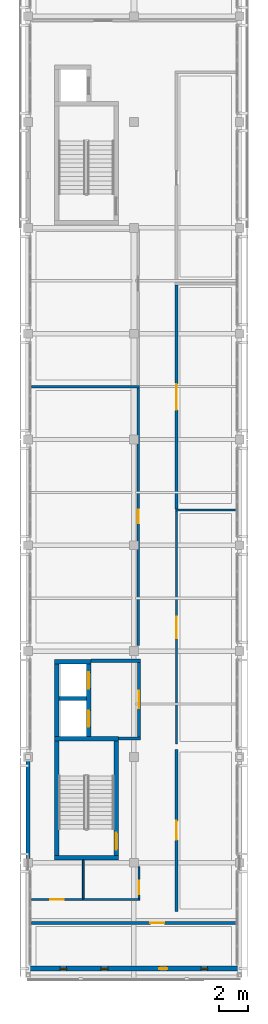
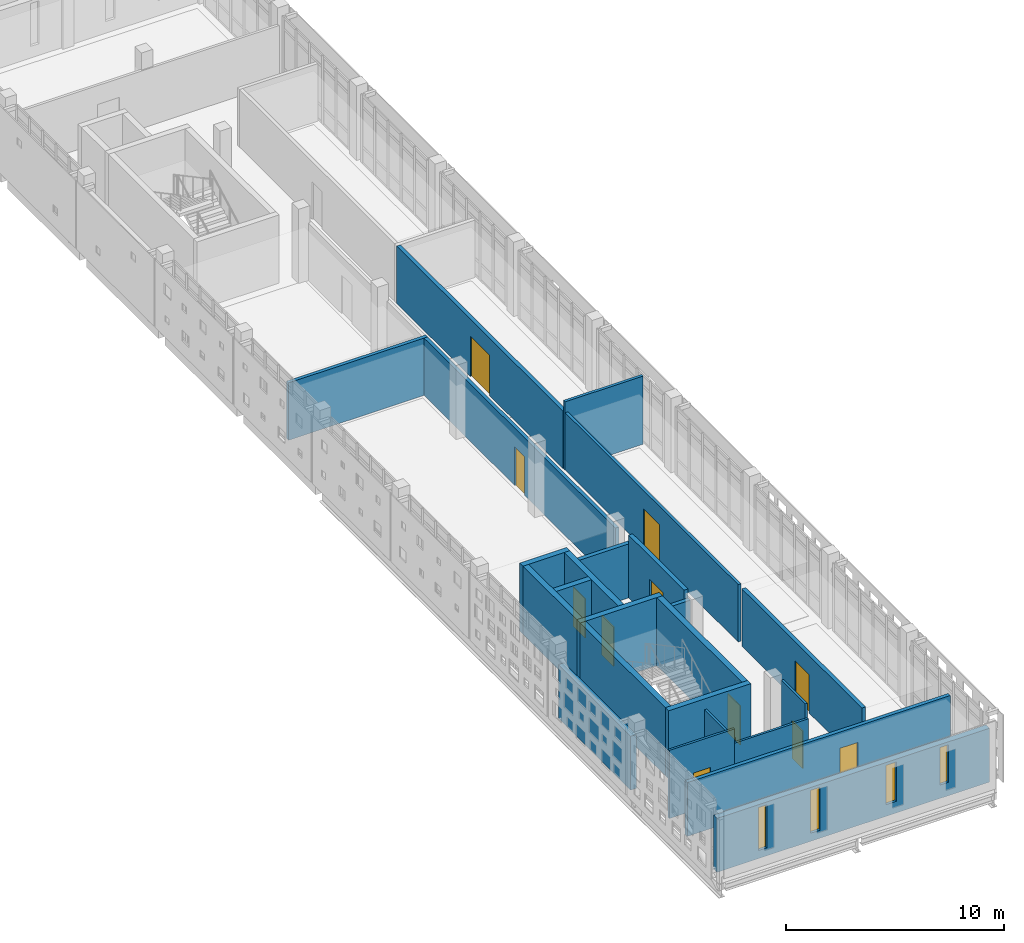
# One storey, part 15 of 21: 24 walls, 11 doors, 4 windows, 15 openings.
"""IFC4 building model written with IfcOpenShell, lengths in metres."""

from ifc_helpers import new_model, si_unit, direction, frame, frame_2d, origin, place, context, subcontext, project, spatial, rectangle, extrude, material, layer, layer_set, type_object, element, fill, save


model = new_model("IFC4")

# Units and contexts
model_context = context("Model", 3, precision=1e-05, world=origin(), true_north=direction((0.0, 1.0)))
body_context = subcontext(model_context, "Body", "Model", "MODEL_VIEW")
ifc_project = project(units=[si_unit("LENGTHUNIT", "METRE"), si_unit("AREAUNIT", "SQUARE_METRE"), si_unit("VOLUMEUNIT", "CUBIC_METRE"), si_unit("PLANEANGLEUNIT", "RADIAN"), si_unit("MASSUNIT", "GRAM", prefix="KILO")], contexts=[model_context])

# Site, building, storey
site_placement = place(None, origin())
site = spatial("IfcSite", under=ifc_project, at=site_placement, CompositionType="ELEMENT")
building_placement = place(site_placement, origin())
building = spatial("IfcBuilding", under=site, at=building_placement, Name="Valkovuoma Quantum and Materials Research Institute", CompositionType="ELEMENT")
storey_placement = place(building_placement, frame((0.0, 0.0, 33.919921875)))
storey = spatial("IfcBuildingStorey", under=building, at=storey_placement, Name="L08", CompositionType="ELEMENT", Elevation=33.919921875)

# Walls
ifc_material_1 = material(Name="Concrete C40/50", Category="concrete")
ifc_layer_1 = layer(ifc_material_1, 0.300048828125)
ifc_layer_set_1 = layer_set([ifc_layer_1], Name="Concrete C40/50")
wall_type_1 = type_object("IfcWallType", Name="Wall-W-COR300", PredefinedType="SHEAR", material=ifc_layer_set_1)
for number, where, z_axis, x_axis, name in (
    (1, (1.800048828125, 29.14990234375, 0.0), (0.0, 0.0, 1.0), (1.0, 0.0, 0.0), "L08 core wall 0100"),
    (2, (1.800048828125, 37.25, 0.0), (0.0, 0.0, 1.0), (1.0, 0.0, 0.0), "L08 core wall 0101"),
):
    element("IfcWall", number, at=place(storey_placement, frame(where, z_axis=z_axis, x_axis=x_axis)), inside=storey, type_object=wall_type_1, Name=name, PredefinedType="SHEAR", context=body_context, shape_type="SweptSolid", body=[
        extrude(rectangle(XDim=4.349853515625, YDim=0.300048828125, at=frame_2d((2.1748046875, 0.0))), origin(), (0.0, 0.0, 1.0), 3.81005859375),
    ])
wall_1_placement = place(storey_placement, frame((1.949951171875, 29.300048828125, 0.0), z_axis=(0.0, 0.0, 1.0), x_axis=(0.0, 1.0, 0.0)))
element("IfcWall", 3, at=wall_1_placement, inside=storey, type_object=wall_type_1, Name="L08 core wall 0102", PredefinedType="SHEAR", context=body_context, shape_type="SweptSolid", body=[
    extrude(rectangle(XDim=7.800048828125, YDim=0.300048828125, at=frame_2d((3.89990234375, 0.0))), origin(), (0.0, 0.0, 1.0), 3.81005859375),
])

# Wall, opening, door
wall_2_placement = place(storey_placement, frame((6.0, 29.300048828125, 0.0), z_axis=(0.0, 0.0, 1.0), x_axis=(0.0, 1.0, 0.0)))
wall_2 = element("IfcWall", 4, at=wall_2_placement, inside=storey, type_object=wall_type_1, Name="L08 core wall 0103", PredefinedType="SHEAR", context=body_context, shape_type="SweptSolid", body=[
    extrude(rectangle(XDim=7.800048828125, YDim=0.300048828125, at=frame_2d((3.89990234375, 0.0))), origin(), (0.0, 0.0, 1.0), 3.81005859375),
])
opening_1_placement = place(wall_2_placement, frame((0.39990234375, 0.0, 0.0)))
opening_1 = element("IfcOpeningElement", 5, at=opening_1_placement, cuts=wall_2, Name="Opening SD-019", PredefinedType="OPENING", context=body_context, shape_type="SweptSolid", body=[
    extrude(rectangle(XDim=1.14990234375, YDim=2.199951171875, at=frame_2d((0.574951171875, 1.10009765625))), frame((0.0, 0.16015625, 0.0), z_axis=(0.0, -1.0, 0.0), x_axis=(1.0, 0.0, 0.0)), (0.0, 0.0, 1.0), 0.320068359375),
])
ifc_material_2 = material(Name="Powder-coated steel and acoustic timber door assembly", Category="steel")
door_type_1 = type_object("IfcDoorType", Name="Door-DR-ST60", OperationType="NOTDEFINED", PredefinedType="DOOR", material=ifc_material_2)
door_1_placement = place(opening_1_placement, origin())
door_1 = element("IfcDoor", 6, at=door_1_placement, inside=storey, type_object=door_type_1, Name="L08 ST-1 fire door", OperationType="SINGLE_SWING_RIGHT", OverallHeight=2.199951171875, OverallWidth=1.14990234375, PredefinedType="DOOR", context=body_context, shape_type="SweptSolid", body=[
    extrude(rectangle(XDim=1.14990234375, YDim=2.199951171875, at=frame_2d((0.574951171875, 1.10009765625))), frame((0.0, 0.02490234375, 0.0), z_axis=(0.0, -1.0, 0.0), x_axis=(1.0, 0.0, 0.0)), (0.0, 0.0, 1.0), 0.050048828125),
])
fill(opening_1, door_1)

# Walls
wall_3_placement = place(storey_placement, frame((1.800048828125, 42.47998046875, 0.0), z_axis=(0.0, 0.0, 1.0), x_axis=(1.0, 0.0, 0.0)))
element("IfcWall", 7, at=wall_3_placement, inside=storey, type_object=wall_type_1, Name="L08 core wall 0104", PredefinedType="SHEAR", context=body_context, shape_type="SweptSolid", body=[
    extrude(rectangle(XDim=2.47998046875, YDim=0.300048828125, at=frame_2d((1.239990234375, 0.0))), origin(), (0.0, 0.0, 1.0), 3.81005859375),
])
wall_4_placement = place(storey_placement, frame((2.10009765625, 39.97509765625, 0.0), z_axis=(0.0, 0.0, 1.0), x_axis=(1.0, 0.0, 0.0)))
element("IfcWall", 8, at=wall_4_placement, inside=storey, type_object=wall_type_1, Name="L08 core wall 0105", PredefinedType="SHEAR", context=body_context, shape_type="SweptSolid", body=[
    extrude(rectangle(XDim=1.8798828125, YDim=0.300048828125, at=frame_2d((0.93994140625, 0.0))), origin(), (0.0, 0.0, 1.0), 3.81005859375),
])
wall_5_placement = place(storey_placement, frame((1.949951171875, 37.39990234375, 0.0), z_axis=(0.0, 0.0, 1.0), x_axis=(0.0, 1.0, 0.0)))
element("IfcWall", 9, at=wall_5_placement, inside=storey, type_object=wall_type_1, Name="L08 core wall 0106", PredefinedType="SHEAR", context=body_context, shape_type="SweptSolid", body=[
    extrude(rectangle(XDim=4.93017578125, YDim=0.300048828125, at=frame_2d((2.465087890625, 0.0))), origin(), (0.0, 0.0, 1.0), 3.81005859375),
])

# Wall, openings, doors
wall_6_placement = place(storey_placement, frame((4.1298828125, 37.39990234375, 0.0), z_axis=(0.0, 0.0, 1.0), x_axis=(0.0, 1.0, 0.0)))
wall_6 = element("IfcWall", 10, at=wall_6_placement, inside=storey, type_object=wall_type_1, Name="L08 core wall 0107", PredefinedType="SHEAR", context=body_context, shape_type="SweptSolid", body=[
    extrude(rectangle(XDim=4.93017578125, YDim=0.300048828125, at=frame_2d((2.465087890625, 0.0))), origin(), (0.0, 0.0, 1.0), 3.81005859375),
])
opening_2_placement = place(wall_6_placement, frame((0.64990234375, 0.0, 0.0)))
opening_2 = element("IfcOpeningElement", 11, at=opening_2_placement, cuts=wall_6, Name="Opening LD-019", PredefinedType="OPENING", context=body_context, shape_type="SweptSolid", body=[
    extrude(rectangle(XDim=1.10009765625, YDim=2.199951171875, at=frame_2d((0.550048828125, 1.10009765625))), frame((0.0, 0.16015625, 0.0), z_axis=(0.0, -1.0, 0.0), x_axis=(1.0, 0.0, 0.0)), (0.0, 0.0, 1.0), 0.320068359375),
])
opening_3_placement = place(wall_6_placement, frame((3.25, 0.0, 0.0)))
opening_3 = element("IfcOpeningElement", 12, at=opening_3_placement, cuts=wall_6, Name="Opening LD-020", PredefinedType="OPENING", context=body_context, shape_type="SweptSolid", body=[
    extrude(rectangle(XDim=1.10009765625, YDim=2.199951171875, at=frame_2d((0.550048828125, 1.10009765625))), frame((0.0, 0.16015625, 0.0), z_axis=(0.0, -1.0, 0.0), x_axis=(1.0, 0.0, 0.0)), (0.0, 0.0, 1.0), 0.320068359375),
])
ifc_material_3 = material(Name="Powder-coated steel and acoustic timber door assembly", Category="steel")
door_type_2 = type_object("IfcDoorType", Name="Door-DR-LD01", OperationType="NOTDEFINED", PredefinedType="DOOR", material=ifc_material_3)
door_2_placement = place(opening_2_placement, origin())
door_2 = element("IfcDoor", 13, at=door_2_placement, inside=storey, type_object=door_type_2, Name="L08 LIFT-FF1 sliding landing door", OperationType="SLIDING_TO_LEFT", OverallHeight=2.199951171875, OverallWidth=1.10009765625, PredefinedType="DOOR", context=body_context, shape_type="SweptSolid", body=[
    extrude(rectangle(XDim=1.10009765625, YDim=2.199951171875, at=frame_2d((0.550048828125, 1.10009765625))), frame((0.0, 0.02490234375, 0.0), z_axis=(0.0, -1.0, 0.0), x_axis=(1.0, 0.0, 0.0)), (0.0, 0.0, 1.0), 0.050048828125),
])
fill(opening_2, door_2)
door_3_placement = place(opening_3_placement, origin())
door_3 = element("IfcDoor", 14, at=door_3_placement, inside=storey, type_object=door_type_2, Name="L08 LIFT-P1 sliding landing door", OperationType="SLIDING_TO_LEFT", OverallHeight=2.199951171875, OverallWidth=1.10009765625, PredefinedType="DOOR", context=body_context, shape_type="SweptSolid", body=[
    extrude(rectangle(XDim=1.10009765625, YDim=2.199951171875, at=frame_2d((0.550048828125, 1.10009765625))), frame((0.0, 0.02490234375, 0.0), z_axis=(0.0, -1.0, 0.0), x_axis=(1.0, 0.0, 0.0)), (0.0, 0.0, 1.0), 0.050048828125),
])
fill(opening_3, door_3)

# Wall
ifc_material_4 = material(Name="Precast concrete C40/50", Category="concrete")
ifc_layer_2 = layer(ifc_material_4, 0.300048828125)
ifc_layer_set_2 = layer_set([ifc_layer_2], Name="Precast concrete C40/50")
wall_type_2 = type_object("IfcWallType", Name="Wall-W-EXT300", PredefinedType="SOLIDWALL", material=ifc_layer_set_2)
wall_7_placement = place(storey_placement, frame((0.0, 29.090087890625, 0.0), z_axis=(0.0, 0.0, 1.0), x_axis=(0.0, 1.0, 0.0)))
element("IfcWall", 15, at=wall_7_placement, inside=storey, type_object=wall_type_2, Name="L08 exterior wall 0063", PredefinedType="SOLIDWALL", context=body_context, shape_type="SweptSolid", body=[
    extrude(rectangle(XDim=6.619873046875, YDim=0.300048828125, at=frame_2d((3.31005859375, 0.0))), origin(), (0.0, 0.0, 1.0), 3.010009765625),
])

# Wall, openings, windows
ifc_material_5 = material(Name="Precast concrete C40/50", Category="concrete")
ifc_layer_3 = layer(ifc_material_5, 0.320068359375)
ifc_layer_set_3 = layer_set([ifc_layer_3], Name="Precast concrete C40/50")
wall_type_3 = type_object("IfcWallType", Name="Wall-W-EXT320", PredefinedType="SOLIDWALL", material=ifc_layer_set_3)
wall_8_placement = place(storey_placement, frame((0.0, 21.60009765625, 0.0), z_axis=(0.0, 0.0, 1.0), x_axis=(1.0, 0.0, 0.0)))
wall_8 = element("IfcWall", 16, at=wall_8_placement, inside=storey, type_object=wall_type_3, Name="L08 exterior wall 0061", PredefinedType="SOLIDWALL", context=body_context, shape_type="SweptSolid", body=[
    extrude(rectangle(XDim=14.39990234375, YDim=0.320068359375, at=frame_2d((7.199951171875, 0.0))), origin(), (0.0, 0.0, 1.0), 3.010009765625),
])
opening_4_placement = place(wall_8_placement, frame((2.175048828125, 0.0, 0.449951171875)))
opening_4 = element("IfcOpeningElement", 17, at=opening_4_placement, cuts=wall_8, Name="Opening WN-SL01", PredefinedType="OPENING", context=body_context, shape_type="SweptSolid", body=[
    extrude(rectangle(XDim=0.449951171875, YDim=2.39990234375, at=frame_2d((0.22509765625, 1.199951171875))), frame((0.0, 0.169921875, 0.0), z_axis=(0.0, -1.0, 0.0), x_axis=(1.0, 0.0, 0.0)), (0.0, 0.0, 1.0), 0.340087890625),
])
opening_5_placement = place(wall_8_placement, frame((4.949951171875, 0.0, 0.449951171875)))
opening_5 = element("IfcOpeningElement", 18, at=opening_5_placement, cuts=wall_8, Name="Opening WN-SL02", PredefinedType="OPENING", context=body_context, shape_type="SweptSolid", body=[
    extrude(rectangle(XDim=0.5, YDim=2.39990234375, at=frame_2d((0.25, 1.199951171875))), frame((0.0, 0.169921875, 0.0), z_axis=(0.0, -1.0, 0.0), x_axis=(1.0, 0.0, 0.0)), (0.0, 0.0, 1.0), 0.340087890625),
])
opening_6_placement = place(wall_8_placement, frame((8.925048828125, 0.0, 0.64990234375)))
opening_6 = element("IfcOpeningElement", 19, at=opening_6_placement, cuts=wall_8, Name="Opening WN-SL03", PredefinedType="OPENING", context=body_context, shape_type="SweptSolid", body=[
    extrude(rectangle(XDim=0.550048828125, YDim=2.199951171875, at=frame_2d((0.27490234375, 1.10009765625))), frame((0.0, 0.169921875, 0.0), z_axis=(0.0, -1.0, 0.0), x_axis=(1.0, 0.0, 0.0)), (0.0, 0.0, 1.0), 0.340087890625),
])
opening_7_placement = place(wall_8_placement, frame((11.77490234375, 0.0, 0.75)))
opening_7 = element("IfcOpeningElement", 20, at=opening_7_placement, cuts=wall_8, Name="Opening WN-SL04", PredefinedType="OPENING", context=body_context, shape_type="SweptSolid", body=[
    extrude(rectangle(XDim=0.449951171875, YDim=2.10009765625, at=frame_2d((0.22509765625, 1.050048828125))), frame((0.0, 0.169921875, 0.0), z_axis=(0.0, -1.0, 0.0), x_axis=(1.0, 0.0, 0.0)), (0.0, 0.0, 1.0), 0.340087890625),
])
ifc_material_6 = material(Name="Triple low-E argon glazing in thermally broken aluminium frame", Category="aluminium")
window_type_1 = type_object("IfcWindowType", Name="Win-WN-SL01", PartitioningType="SINGLE_PANEL", PredefinedType="WINDOW", material=ifc_material_6)
window_1_placement = place(opening_4_placement, origin())
window_1 = element("IfcWindow", 21, at=window_1_placement, inside=storey, type_object=window_type_1, Name="L08 window 0060", OverallHeight=2.39990234375, OverallWidth=0.449951171875, PartitioningType="SINGLE_PANEL", PredefinedType="WINDOW", context=body_context, shape_type="SweptSolid", body=[
    extrude(rectangle(XDim=0.449951171875, YDim=2.39990234375, at=frame_2d((0.22509765625, 1.199951171875))), frame((0.0, 0.030029296875, 0.0), z_axis=(0.0, -1.0, 0.0), x_axis=(1.0, 0.0, 0.0)), (0.0, 0.0, 1.0), 0.06005859375),
])
fill(opening_4, window_1)
ifc_material_7 = material(Name="Triple low-E argon glazing in thermally broken aluminium frame", Category="aluminium")
window_type_2 = type_object("IfcWindowType", Name="Win-WN-SL02", PartitioningType="SINGLE_PANEL", PredefinedType="WINDOW", material=ifc_material_7)
window_2_placement = place(opening_5_placement, origin())
window_2 = element("IfcWindow", 22, at=window_2_placement, inside=storey, type_object=window_type_2, Name="L08 window 0061", OverallHeight=2.39990234375, OverallWidth=0.5, PartitioningType="SINGLE_PANEL", PredefinedType="WINDOW", context=body_context, shape_type="SweptSolid", body=[
    extrude(rectangle(XDim=0.5, YDim=2.39990234375, at=frame_2d((0.25, 1.199951171875))), frame((0.0, 0.030029296875, 0.0), z_axis=(0.0, -1.0, 0.0), x_axis=(1.0, 0.0, 0.0)), (0.0, 0.0, 1.0), 0.06005859375),
])
fill(opening_5, window_2)
ifc_material_8 = material(Name="Triple low-E argon glazing in thermally broken aluminium frame", Category="aluminium")
window_type_3 = type_object("IfcWindowType", Name="Win-WN-SL03", PartitioningType="SINGLE_PANEL", PredefinedType="WINDOW", material=ifc_material_8)
window_3_placement = place(opening_6_placement, origin())
window_3 = element("IfcWindow", 23, at=window_3_placement, inside=storey, type_object=window_type_3, Name="L08 window 0062", OverallHeight=2.199951171875, OverallWidth=0.550048828125, PartitioningType="SINGLE_PANEL", PredefinedType="WINDOW", context=body_context, shape_type="SweptSolid", body=[
    extrude(rectangle(XDim=0.550048828125, YDim=2.199951171875, at=frame_2d((0.27490234375, 1.10009765625))), frame((0.0, 0.030029296875, 0.0), z_axis=(0.0, -1.0, 0.0), x_axis=(1.0, 0.0, 0.0)), (0.0, 0.0, 1.0), 0.06005859375),
])
fill(opening_6, window_3)
ifc_material_9 = material(Name="Triple low-E argon glazing in thermally broken aluminium frame", Category="aluminium")
window_type_4 = type_object("IfcWindowType", Name="Win-WN-SL04", PartitioningType="SINGLE_PANEL", PredefinedType="WINDOW", material=ifc_material_9)
window_4_placement = place(opening_7_placement, origin())
window_4 = element("IfcWindow", 24, at=window_4_placement, inside=storey, type_object=window_type_4, Name="L08 window 0063", OverallHeight=2.10009765625, OverallWidth=0.449951171875, PartitioningType="SINGLE_PANEL", PredefinedType="WINDOW", context=body_context, shape_type="SweptSolid", body=[
    extrude(rectangle(XDim=0.449951171875, YDim=2.10009765625, at=frame_2d((0.22509765625, 1.050048828125))), frame((0.0, 0.030029296875, 0.0), z_axis=(0.0, -1.0, 0.0), x_axis=(1.0, 0.0, 0.0)), (0.0, 0.0, 1.0), 0.06005859375),
])
fill(opening_7, window_4)

# Walls
ifc_material_10 = material(Name="Concrete C40/50", Category="concrete")
ifc_layer_4 = layer(ifc_material_10, 0.219970703125)
ifc_layer_set_4 = layer_set([ifc_layer_4], Name="Concrete C40/50")
wall_type_4 = type_object("IfcWallType", Name="Wall-W-FFL220", PredefinedType="SOLIDWALL", material=ifc_layer_set_4)
wall_9_placement = place(storey_placement, frame((6.14990234375, 37.25, 0.0), z_axis=(0.0, 0.0, 1.0), x_axis=(1.0, 0.0, 0.0)))
element("IfcWall", 25, at=wall_9_placement, inside=storey, type_object=wall_type_4, Name="L08 core wall 0108", PredefinedType="SOLIDWALL", context=body_context, shape_type="SweptSolid", body=[
    extrude(rectangle(XDim=1.510009765625, YDim=0.219970703125, at=frame_2d((0.7548828125, 0.0))), origin(), (0.0, 0.0, 1.0), 3.010009765625),
])
wall_10_placement = place(storey_placement, frame((4.280029296875, 42.550048828125, 0.0), z_axis=(0.0, 0.0, 1.0), x_axis=(1.0, 0.0, 0.0)))
element("IfcWall", 26, at=wall_10_placement, inside=storey, type_object=wall_type_4, Name="L08 core wall 0109", PredefinedType="SOLIDWALL", context=body_context, shape_type="SweptSolid", body=[
    extrude(rectangle(XDim=3.3798828125, YDim=0.219970703125, at=frame_2d((1.68994140625, 0.0))), origin(), (0.0, 0.0, 1.0), 3.010009765625),
])

# Wall, opening, door
wall_11_placement = place(storey_placement, frame((7.550048828125, 37.360107421875, 0.0), z_axis=(0.0, 0.0, 1.0), x_axis=(0.0, 1.0, 0.0)))
wall_11 = element("IfcWall", 27, at=wall_11_placement, inside=storey, type_object=wall_type_4, Name="L08 core wall 0110", PredefinedType="SOLIDWALL", context=body_context, shape_type="SweptSolid", body=[
    extrude(rectangle(XDim=5.079833984375, YDim=0.219970703125, at=frame_2d((2.5400390625, 0.0))), origin(), (0.0, 0.0, 1.0), 3.510009765625),
])
opening_8_placement = place(wall_11_placement, frame((1.93994140625, 0.0, 0.0)))
opening_8 = element("IfcOpeningElement", 28, at=opening_8_placement, cuts=wall_11, Name="Opening FD-020", PredefinedType="OPENING", context=body_context, shape_type="SweptSolid", body=[
    extrude(rectangle(XDim=1.199951171875, YDim=2.199951171875, at=frame_2d((0.60009765625, 1.10009765625))), frame((0.0, 0.1201171875, 0.0), z_axis=(0.0, -1.0, 0.0), x_axis=(1.0, 0.0, 0.0)), (0.0, 0.0, 1.0), 0.239990234375),
])
ifc_material_11 = material(Name="Powder-coated steel and acoustic timber door assembly", Category="steel")
door_type_3 = type_object("IfcDoorType", Name="Door-DR-FF60", OperationType="NOTDEFINED", PredefinedType="DOOR", material=ifc_material_11)
door_4_placement = place(opening_8_placement, origin())
door_4 = element("IfcDoor", 29, at=door_4_placement, inside=storey, type_object=door_type_3, Name="L08 firefighting lobby door", OperationType="SINGLE_SWING_LEFT", OverallHeight=2.199951171875, OverallWidth=1.199951171875, PredefinedType="DOOR", context=body_context, shape_type="SweptSolid", body=[
    extrude(rectangle(XDim=1.199951171875, YDim=2.199951171875, at=frame_2d((0.60009765625, 1.10009765625))), frame((0.0, 0.02490234375, 0.0), z_axis=(0.0, -1.0, 0.0), x_axis=(1.0, 0.0, 0.0)), (0.0, 0.0, 1.0), 0.050048828125),
])
fill(opening_8, door_4)

# Walls
ifc_material_12 = material(Name="Service and WC partition", Category="masonry")
ifc_layer_5 = layer(ifc_material_12, 0.1201171875)
ifc_layer_set_5 = layer_set([ifc_layer_5], Name="Service and WC partition")
wall_type_5 = type_object("IfcWallType", Name="Wall-W-PRT120", PredefinedType="PARTITIONING", material=ifc_layer_set_5)
wall_12_placement = place(storey_placement, frame((3.68994140625, 26.300048828125, 0.0), z_axis=(0.0, 0.0, 1.0), x_axis=(1.0, 0.0, 0.0)))
element("IfcWall", 30, at=wall_12_placement, inside=storey, type_object=wall_type_5, Name="L08 partition 0266", PredefinedType="PARTITIONING", context=body_context, shape_type="SweptSolid", body=[
    extrude(rectangle(XDim=3.920166015625, YDim=0.1201171875, at=frame_2d((1.9599609375, 0.0))), origin(), (0.0, 0.0, 1.0), 3.010009765625),
])
wall_13_placement = place(storey_placement, frame((3.75, 26.360107421875, 0.0), z_axis=(0.0, 0.0, 1.0), x_axis=(0.0, 1.0, 0.0)))
element("IfcWall", 31, at=wall_13_placement, inside=storey, type_object=wall_type_5, Name="L08 partition 0267", PredefinedType="PARTITIONING", context=body_context, shape_type="SweptSolid", body=[
    extrude(rectangle(XDim=2.639892578125, YDim=0.1201171875, at=frame_2d((1.31982421875, 0.0))), origin(), (0.0, 0.0, 1.0), 3.2099609375),
])

# Wall, opening, door
wall_14_placement = place(storey_placement, frame((7.550048828125, 26.360107421875, 0.0), z_axis=(0.0, 0.0, 1.0), x_axis=(0.0, 1.0, 0.0)))
wall_14 = element("IfcWall", 32, at=wall_14_placement, inside=storey, type_object=wall_type_5, Name="L08 partition 0268", PredefinedType="PARTITIONING", context=body_context, shape_type="SweptSolid", body=[
    extrude(rectangle(XDim=2.179931640625, YDim=0.1201171875, at=frame_2d((1.08984375, 0.0))), origin(), (0.0, 0.0, 1.0), 3.81005859375),
])
opening_9_placement = place(wall_14_placement, frame((0.29296875, 0.0, 0.0)))
opening_9 = element("IfcOpeningElement", 33, at=opening_9_placement, cuts=wall_14, Name="Opening ID-0189", PredefinedType="OPENING", context=body_context, shape_type="SweptSolid", body=[
    extrude(rectangle(XDim=0.93994140625, YDim=2.10009765625, at=frame_2d((0.469970703125, 1.050048828125))), frame((0.0, 0.070068359375, 0.0), z_axis=(0.0, -1.0, 0.0), x_axis=(1.0, 0.0, 0.0)), (0.0, 0.0, 1.0), 0.14013671875),
])
ifc_material_13 = material(Name="Powder-coated steel and acoustic timber door assembly", Category="steel")
door_type_4 = type_object("IfcDoorType", Name="Door-DR-WC01", OperationType="NOTDEFINED", PredefinedType="DOOR", material=ifc_material_13)
door_5_placement = place(opening_9_placement, frame((0.93994140625, 0.0, 0.0), z_axis=(0.0, 0.0, 1.0), x_axis=(-1.0, 0.0, 0.0)))
door_5 = element("IfcDoor", 34, at=door_5_placement, inside=storey, type_object=door_type_4, Name="L08 room door 0189", OperationType="SINGLE_SWING_RIGHT", OverallHeight=2.10009765625, OverallWidth=0.93994140625, PredefinedType="DOOR", context=body_context, shape_type="SweptSolid", body=[
    extrude(rectangle(XDim=0.93994140625, YDim=2.10009765625, at=frame_2d((0.469970703125, 1.050048828125))), frame((0.0, 0.02490234375, 0.0), z_axis=(0.0, -1.0, 0.0), x_axis=(1.0, 0.0, 0.0)), (0.0, 0.0, 1.0), 0.050048828125),
])
fill(opening_9, door_5)

wall_15_placement = place(storey_placement, frame((0.25, 26.300048828125, 0.0), z_axis=(0.0, 0.0, 1.0), x_axis=(1.0, 0.0, 0.0)))
wall_15 = element("IfcWall", 35, at=wall_15_placement, inside=storey, type_object=wall_type_5, Name="L08 partition 0269", PredefinedType="PARTITIONING", context=body_context, shape_type="SweptSolid", body=[
    extrude(rectangle(XDim=3.43994140625, YDim=0.1201171875, at=frame_2d((1.719970703125, 0.0))), origin(), (0.0, 0.0, 1.0), 3.81005859375),
])
opening_10_placement = place(wall_15_placement, frame((1.27001953125, 0.0, 0.0)))
opening_10 = element("IfcOpeningElement", 36, at=opening_10_placement, cuts=wall_15, Name="Opening ID-0190", PredefinedType="OPENING", context=body_context, shape_type="SweptSolid", body=[
    extrude(rectangle(XDim=0.89990234375, YDim=2.10009765625, at=frame_2d((0.449951171875, 1.050048828125))), frame((0.0, 0.070068359375, 0.0), z_axis=(0.0, -1.0, 0.0), x_axis=(1.0, 0.0, 0.0)), (0.0, 0.0, 1.0), 0.14013671875),
])
ifc_material_14 = material(Name="Powder-coated steel and acoustic timber door assembly", Category="steel")
door_type_5 = type_object("IfcDoorType", Name="Door-DR-WC02", OperationType="NOTDEFINED", PredefinedType="DOOR", material=ifc_material_14)
door_6_placement = place(opening_10_placement, origin())
door_6 = element("IfcDoor", 37, at=door_6_placement, inside=storey, type_object=door_type_5, Name="L08 room door 0190", OperationType="SINGLE_SWING_LEFT", OverallHeight=2.10009765625, OverallWidth=0.89990234375, PredefinedType="DOOR", context=body_context, shape_type="SweptSolid", body=[
    extrude(rectangle(XDim=0.89990234375, YDim=2.10009765625, at=frame_2d((0.449951171875, 1.050048828125))), frame((0.0, 0.02490234375, 0.0), z_axis=(0.0, -1.0, 0.0), x_axis=(1.0, 0.0, 0.0)), (0.0, 0.0, 1.0), 0.050048828125),
])
fill(opening_10, door_6)

# Wall
ifc_material_15 = material(Name="Acoustic write-up studio partition", Category="masonry")
ifc_layer_6 = layer(ifc_material_15, 0.14990234375)
ifc_layer_set_6 = layer_set([ifc_layer_6], Name="Acoustic write-up studio partition")
wall_type_6 = type_object("IfcWallType", Name="Wall-W-PRT150", PredefinedType="PARTITIONING", material=ifc_layer_set_6)
wall_16_placement = place(storey_placement, frame((10.02490234375, 52.800048828125, 0.0), z_axis=(0.0, 0.0, 1.0), x_axis=(1.0, 0.0, 0.0)))
element("IfcWall", 38, at=wall_16_placement, inside=storey, type_object=wall_type_6, Name="L08 partition 0275", PredefinedType="PARTITIONING", context=body_context, shape_type="SweptSolid", body=[
    extrude(rectangle(XDim=4.125, YDim=0.14990234375, at=frame_2d((2.0625, 0.0))), origin(), (0.0, 0.0, 1.0), 3.81005859375),
])

# Wall, opening, door
wall_17_placement = place(storey_placement, frame((10.10009765625, 36.875, 0.0), z_axis=(0.0, 0.0, 1.0), x_axis=(0.0, 1.0, 0.0)))
wall_17 = element("IfcWall", 39, at=wall_17_placement, inside=storey, type_object=wall_type_6, Name="L08 partition 0276", PredefinedType="PARTITIONING", context=body_context, shape_type="SweptSolid", body=[
    extrude(rectangle(XDim=15.85009765625, YDim=0.14990234375, at=frame_2d((7.925048828125, 0.0))), origin(), (0.0, 0.0, 1.0), 3.2099609375),
])
opening_11_placement = place(wall_17_placement, frame((7.199951171875, 0.0, 0.0)))
opening_11 = element("IfcOpeningElement", 40, at=opening_11_placement, cuts=wall_17, Name="Opening ID-0195", PredefinedType="OPENING", context=body_context, shape_type="SweptSolid", body=[
    extrude(rectangle(XDim=1.449951171875, YDim=2.199951171875, at=frame_2d((0.72509765625, 1.10009765625))), frame((0.0, 0.0849609375, 0.0), z_axis=(0.0, -1.0, 0.0), x_axis=(1.0, 0.0, 0.0)), (0.0, 0.0, 1.0), 0.169921875),
])
ifc_material_16 = material(Name="Powder-coated steel and acoustic timber door assembly", Category="steel")
door_type_6 = type_object("IfcDoorType", Name="Door-DR-SM03", OperationType="NOTDEFINED", PredefinedType="DOOR", material=ifc_material_16)
door_7_placement = place(opening_11_placement, origin())
door_7 = element("IfcDoor", 41, at=door_7_placement, inside=storey, type_object=door_type_6, Name="L08 room door 0195", OperationType="SINGLE_SWING_RIGHT", OverallHeight=2.199951171875, OverallWidth=1.449951171875, PredefinedType="DOOR", context=body_context, shape_type="SweptSolid", body=[
    extrude(rectangle(XDim=1.449951171875, YDim=2.199951171875, at=frame_2d((0.72509765625, 1.10009765625))), frame((0.0, 0.02490234375, 0.0), z_axis=(0.0, -1.0, 0.0), x_axis=(1.0, 0.0, 0.0)), (0.0, 0.0, 1.0), 0.050048828125),
])
fill(opening_11, door_7)

# Wall
ifc_material_17 = material(Name="Laboratory fire-rated gypsum partition", Category="masonry")
ifc_layer_7 = layer(ifc_material_17, 0.179931640625)
ifc_layer_set_7 = layer_set([ifc_layer_7], Name="Laboratory fire-rated gypsum partition")
wall_type_7 = type_object("IfcWallType", Name="Wall-W-PRT180", PredefinedType="PARTITIONING", material=ifc_layer_set_7)
wall_18_placement = place(storey_placement, frame((0.25, 61.199951171875, 0.0), z_axis=(0.0, 0.0, 1.0), x_axis=(1.0, 0.0, 0.0)))
element("IfcWall", 42, at=wall_18_placement, inside=storey, type_object=wall_type_7, Name="L08 partition 0270", PredefinedType="PARTITIONING", context=body_context, shape_type="SweptSolid", body=[
    extrude(rectangle(XDim=7.340087890625, YDim=0.179931640625, at=frame_2d((3.669921875, 0.0))), origin(), (0.0, 0.0, 1.0), 3.2099609375),
])

# Wall, opening, door
wall_19_placement = place(storey_placement, frame((7.5, 43.590087890625, 0.0), z_axis=(0.0, 0.0, 1.0), x_axis=(0.0, 1.0, 0.0)))
wall_19 = element("IfcWall", 43, at=wall_19_placement, inside=storey, type_object=wall_type_7, Name="L08 partition 0271", PredefinedType="PARTITIONING", context=body_context, shape_type="SweptSolid", body=[
    extrude(rectangle(XDim=17.52001953125, YDim=0.179931640625, at=frame_2d((8.760009765625, 0.0))), origin(), (0.0, 0.0, 1.0), 3.2099609375),
])
opening_12_placement = place(wall_19_placement, frame((8.300048828125, 0.0, 0.0)))
opening_12 = element("IfcOpeningElement", 44, at=opening_12_placement, cuts=wall_19, Name="Opening ID-0191", PredefinedType="OPENING", context=body_context, shape_type="SweptSolid", body=[
    extrude(rectangle(XDim=0.919921875, YDim=2.14990234375, at=frame_2d((0.4599609375, 1.074951171875))), frame((0.0, 0.10009765625, 0.0), z_axis=(0.0, -1.0, 0.0), x_axis=(1.0, 0.0, 0.0)), (0.0, 0.0, 1.0), 0.199951171875),
])
ifc_material_18 = material(Name="Powder-coated steel and acoustic timber door assembly", Category="steel")
door_type_7 = type_object("IfcDoorType", Name="Door-DR-OF05", OperationType="NOTDEFINED", PredefinedType="DOOR", material=ifc_material_18)
door_8_placement = place(opening_12_placement, origin())
door_8 = element("IfcDoor", 45, at=door_8_placement, inside=storey, type_object=door_type_7, Name="L08 room door 0191", OperationType="SINGLE_SWING_RIGHT", OverallHeight=2.14990234375, OverallWidth=0.919921875, PredefinedType="DOOR", context=body_context, shape_type="SweptSolid", body=[
    extrude(rectangle(XDim=0.919921875, YDim=2.14990234375, at=frame_2d((0.4599609375, 1.074951171875))), frame((0.0, 0.02490234375, 0.0), z_axis=(0.0, -1.0, 0.0), x_axis=(1.0, 0.0, 0.0)), (0.0, 0.0, 1.0), 0.050048828125),
])
fill(opening_12, door_8)

ifc_material_19 = material(Name="Acoustic double-stud gypsum and mineral wool partition", Category="masonry")
ifc_layer_8 = layer(ifc_material_19, 0.199951171875)
ifc_layer_set_8 = layer_set([ifc_layer_8], Name="Acoustic double-stud gypsum and mineral wool partition")
wall_type_8 = type_object("IfcWallType", Name="Wall-W-PRT200", PredefinedType="PARTITIONING", material=ifc_layer_set_8)
wall_20_placement = place(storey_placement, frame((0.25, 24.699951171875, 0.0), z_axis=(0.0, 0.0, 1.0), x_axis=(1.0, 0.0, 0.0)))
wall_20 = element("IfcWall", 46, at=wall_20_placement, inside=storey, type_object=wall_type_8, Name="L08 partition 0265", PredefinedType="PARTITIONING", context=body_context, shape_type="SweptSolid", body=[
    extrude(rectangle(XDim=13.89990234375, YDim=0.199951171875, at=frame_2d((6.949951171875, 0.0))), origin(), (0.0, 0.0, 1.0), 3.010009765625),
])
opening_13_placement = place(wall_20_placement, frame((8.074951171875, 0.0, 0.0)))
opening_13 = element("IfcOpeningElement", 47, at=opening_13_placement, cuts=wall_20, Name="Opening ID-0188", PredefinedType="OPENING", context=body_context, shape_type="SweptSolid", body=[
    extrude(rectangle(XDim=0.949951171875, YDim=2.10009765625, at=frame_2d((0.47509765625, 1.050048828125))), frame((0.0, 0.10986328125, 0.0), z_axis=(0.0, -1.0, 0.0), x_axis=(1.0, 0.0, 0.0)), (0.0, 0.0, 1.0), 0.219970703125),
])
ifc_material_20 = material(Name="Powder-coated steel and acoustic timber door assembly", Category="steel")
door_type_8 = type_object("IfcDoorType", Name="Door-DR-OF02", OperationType="NOTDEFINED", PredefinedType="DOOR", material=ifc_material_20)
door_9_placement = place(opening_13_placement, origin())
door_9 = element("IfcDoor", 48, at=door_9_placement, inside=storey, type_object=door_type_8, Name="L08 room door 0188", OperationType="SINGLE_SWING_LEFT", OverallHeight=2.10009765625, OverallWidth=0.949951171875, PredefinedType="DOOR", context=body_context, shape_type="SweptSolid", body=[
    extrude(rectangle(XDim=0.949951171875, YDim=2.10009765625, at=frame_2d((0.47509765625, 1.050048828125))), frame((0.0, 0.02490234375, 0.0), z_axis=(0.0, -1.0, 0.0), x_axis=(1.0, 0.0, 0.0)), (0.0, 0.0, 1.0), 0.050048828125),
])
fill(opening_13, door_9)

wall_21_placement = place(storey_placement, frame((10.10009765625, 25.5, 0.0), z_axis=(0.0, 0.0, 1.0), x_axis=(0.0, 1.0, 0.0)))
wall_21 = element("IfcWall", 49, at=wall_21_placement, inside=storey, type_object=wall_type_8, Name="L08 partition 0274", PredefinedType="PARTITIONING", context=body_context, shape_type="SweptSolid", body=[
    extrude(rectangle(XDim=11.0, YDim=0.199951171875, at=frame_2d((5.5, 0.0))), origin(), (0.0, 0.0, 1.0), 3.2099609375),
])
opening_14_placement = place(wall_21_placement, frame((4.85009765625, 0.0, 0.0)))
opening_14 = element("IfcOpeningElement", 50, at=opening_14_placement, cuts=wall_21, Name="Opening ID-0194", PredefinedType="OPENING", context=body_context, shape_type="SweptSolid", body=[
    extrude(rectangle(XDim=1.300048828125, YDim=2.14990234375, at=frame_2d((0.64990234375, 1.074951171875))), frame((0.0, 0.10986328125, 0.0), z_axis=(0.0, -1.0, 0.0), x_axis=(1.0, 0.0, 0.0)), (0.0, 0.0, 1.0), 0.219970703125),
])
ifc_material_21 = material(Name="Powder-coated steel and acoustic timber door assembly", Category="steel")
door_type_9 = type_object("IfcDoorType", Name="Door-DR-SM02", OperationType="NOTDEFINED", PredefinedType="DOOR", material=ifc_material_21)
door_10_placement = place(opening_14_placement, origin())
door_10 = element("IfcDoor", 51, at=door_10_placement, inside=storey, type_object=door_type_9, Name="L08 room door 0194", OperationType="SINGLE_SWING_LEFT", OverallHeight=2.14990234375, OverallWidth=1.300048828125, PredefinedType="DOOR", context=body_context, shape_type="SweptSolid", body=[
    extrude(rectangle(XDim=1.300048828125, YDim=2.14990234375, at=frame_2d((0.64990234375, 1.074951171875))), frame((0.0, 0.02490234375, 0.0), z_axis=(0.0, -1.0, 0.0), x_axis=(1.0, 0.0, 0.0)), (0.0, 0.0, 1.0), 0.050048828125),
])
fill(opening_14, door_10)

wall_22_placement = place(storey_placement, frame((10.10009765625, 52.875, 0.0), z_axis=(0.0, 0.0, 1.0), x_axis=(0.0, 1.0, 0.0)))
wall_22 = element("IfcWall", 52, at=wall_22_placement, inside=storey, type_object=wall_type_8, Name="L08 partition 0278", PredefinedType="PARTITIONING", context=body_context, shape_type="SweptSolid", body=[
    extrude(rectangle(XDim=15.22509765625, YDim=0.199951171875, at=frame_2d((7.612548828125, 0.0))), origin(), (0.0, 0.0, 1.0), 3.2099609375),
])
opening_15_placement = place(wall_22_placement, frame((6.737548828125, 0.0, 0.0)))
opening_15 = element("IfcOpeningElement", 53, at=opening_15_placement, cuts=wall_22, Name="Opening ID-0196", PredefinedType="OPENING", context=body_context, shape_type="SweptSolid", body=[
    extrude(rectangle(XDim=1.75, YDim=2.25, at=frame_2d((0.875, 1.125))), frame((0.0, 0.10986328125, 0.0), z_axis=(0.0, -1.0, 0.0), x_axis=(1.0, 0.0, 0.0)), (0.0, 0.0, 1.0), 0.219970703125),
])
ifc_material_22 = material(Name="Powder-coated steel and acoustic timber door assembly", Category="steel")
door_type_10 = type_object("IfcDoorType", Name="Door-DR-SM04", OperationType="NOTDEFINED", PredefinedType="DOOR", material=ifc_material_22)
door_11_placement = place(opening_15_placement, origin())
door_11 = element("IfcDoor", 54, at=door_11_placement, inside=storey, type_object=door_type_10, Name="L08 room door 0196", OperationType="DOUBLE_DOOR_SINGLE_SWING", OverallHeight=2.25, OverallWidth=1.75, PredefinedType="DOOR", context=body_context, shape_type="SweptSolid", body=[
    extrude(rectangle(XDim=1.75, YDim=2.25, at=frame_2d((0.875, 1.125))), frame((0.0, 0.02490234375, 0.0), z_axis=(0.0, -1.0, 0.0), x_axis=(1.0, 0.0, 0.0)), (0.0, 0.0, 1.0), 0.050048828125),
])
fill(opening_15, door_11)

save(model, "model.ifc")
